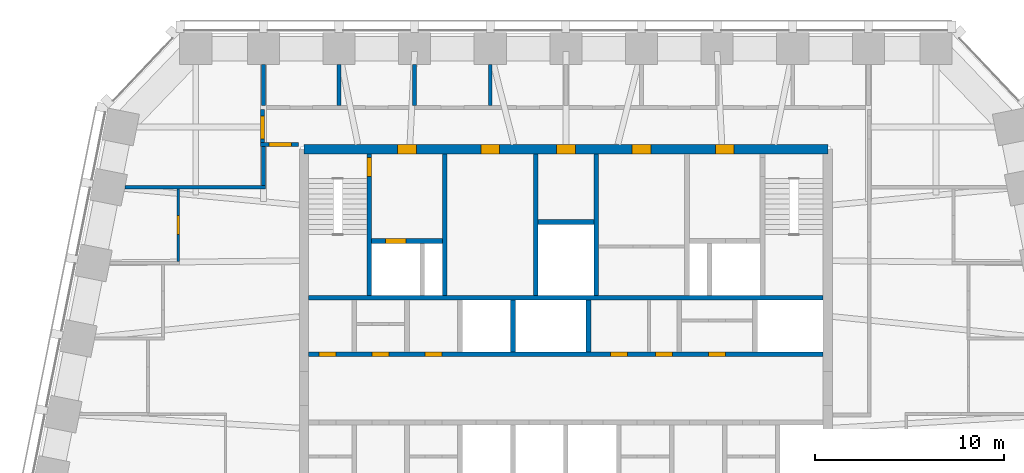
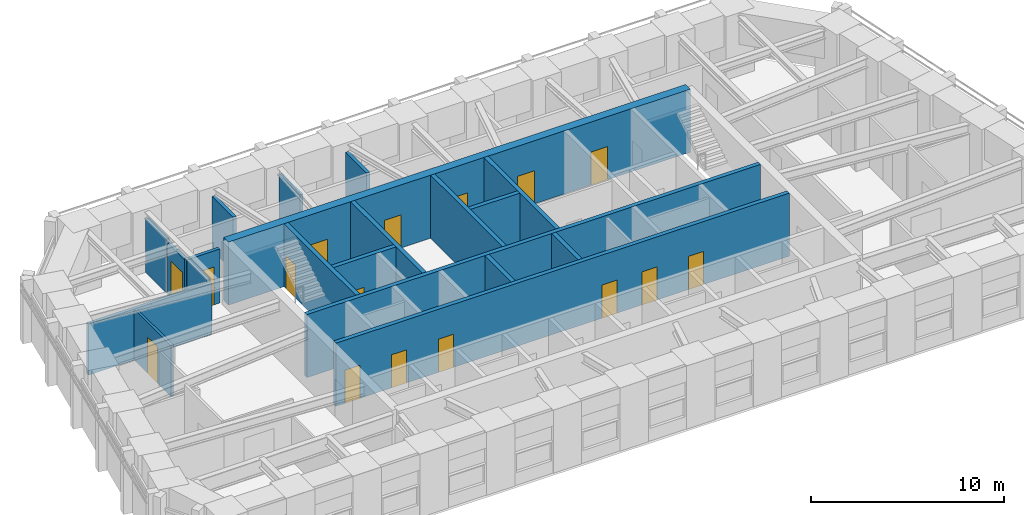
# One storey, part 5 of 9: 20 walls, 16 doors, 16 openings.
"""IFC4 building model written with IfcOpenShell, lengths in metres."""

from ifc_helpers import new_model, si_unit, direction, frame, frame_2d, origin, place, context, subcontext, project, spatial, rectangle, extrude, material, layer, layer_set, type_object, element, fill, save


model = new_model("IFC4")

# Units and contexts
model_context = context("Model", 3, precision=1e-05, world=origin(), true_north=direction((0.0, 1.0)))
body_context = subcontext(model_context, "Body", "Model", "MODEL_VIEW")
ifc_project = project(units=[si_unit("LENGTHUNIT", "METRE"), si_unit("AREAUNIT", "SQUARE_METRE"), si_unit("VOLUMEUNIT", "CUBIC_METRE"), si_unit("PLANEANGLEUNIT", "RADIAN"), si_unit("MASSUNIT", "GRAM", prefix="KILO")], contexts=[model_context])

# Site, building, storey
site_placement = place(None, origin())
site = spatial("IfcSite", under=ifc_project, at=site_placement, CompositionType="ELEMENT")
building_placement = place(site_placement, origin())
building = spatial("IfcBuilding", under=site, at=building_placement, Name="Isbrekke Arena Tower", CompositionType="ELEMENT")
storey_placement = place(building_placement, frame((0.0, 0.0, 312.0)))
storey = spatial("IfcBuildingStorey", under=building, at=storey_placement, Name="L73", CompositionType="ELEMENT", Elevation=312.0)

# Wall, openings, doors
ifc_material_1 = material(Name="Concrete B55 (C55/67)", Category="concrete")
ifc_layer_1 = layer(ifc_material_1, 0.5)
ifc_layer_set_1 = layer_set([ifc_layer_1], Name="CW5 CORE WALL 500")
wall_type_1 = type_object("IfcWallType", Name="CW5 CORE WALL 500", PredefinedType="SHEAR", material=ifc_layer_set_1)
wall_1_placement = place(storey_placement, frame((13.85009765625, 23.85009765625, 0.0), z_axis=(0.0, 0.0, 1.0), x_axis=(-1.0, 0.0, 0.0)))
wall_1 = element("IfcWall", 1, at=wall_1_placement, inside=storey, type_object=wall_type_1, Name="Core wall N L73", PredefinedType="SHEAR", context=body_context, shape_type="SweptSolid", body=[
    extrude(rectangle(XDim=27.7001953125, YDim=0.5, at=frame_2d((13.85009765625, 0.0))), origin(), (0.0, 0.0, 1.0), 4.0),
])
opening_1_placement = place(wall_1_placement, frame((21.75, 0.0, 0.0)))
opening_1 = element("IfcOpeningElement", 2, at=opening_1_placement, cuts=wall_1, Name="Opening D3", PredefinedType="OPENING", context=body_context, shape_type="SweptSolid", body=[
    extrude(rectangle(XDim=1.0, YDim=2.10009765625, at=frame_2d((0.5, 1.050048828125))), frame((0.0, 0.264892578125, 0.0), z_axis=(0.0, -1.0, 0.0), x_axis=(1.0, 0.0, 0.0)), (0.0, 0.0, 1.0), 0.52978515625),
])
opening_2_placement = place(wall_1_placement, frame((4.949951171875, 0.0, 0.0)))
opening_2 = element("IfcOpeningElement", 3, at=opening_2_placement, cuts=wall_1, Name="Opening D3", PredefinedType="OPENING", context=body_context, shape_type="SweptSolid", body=[
    extrude(rectangle(XDim=1.0, YDim=2.10009765625, at=frame_2d((0.5, 1.050048828125))), frame((0.0, 0.264892578125, 0.0), z_axis=(0.0, -1.0, 0.0), x_axis=(1.0, 0.0, 0.0)), (0.0, 0.0, 1.0), 0.52978515625),
])
opening_3_placement = place(wall_1_placement, frame((17.35009765625, 0.0, 0.0)))
opening_3 = element("IfcOpeningElement", 4, at=opening_3_placement, cuts=wall_1, Name="Opening D4", PredefinedType="OPENING", context=body_context, shape_type="SweptSolid", body=[
    extrude(rectangle(XDim=1.0, YDim=2.10009765625, at=frame_2d((0.5, 1.050048828125))), frame((0.0, 0.264892578125, 0.0), z_axis=(0.0, -1.0, 0.0), x_axis=(1.0, 0.0, 0.0)), (0.0, 0.0, 1.0), 0.52978515625),
])
opening_4_placement = place(wall_1_placement, frame((13.35009765625, 0.0, 0.0)))
opening_4 = element("IfcOpeningElement", 5, at=opening_4_placement, cuts=wall_1, Name="Opening D4", PredefinedType="OPENING", context=body_context, shape_type="SweptSolid", body=[
    extrude(rectangle(XDim=1.0, YDim=2.10009765625, at=frame_2d((0.5, 1.050048828125))), frame((0.0, 0.264892578125, 0.0), z_axis=(0.0, -1.0, 0.0), x_axis=(1.0, 0.0, 0.0)), (0.0, 0.0, 1.0), 0.52978515625),
])
opening_5_placement = place(wall_1_placement, frame((9.35009765625, 0.0, 0.0)))
opening_5 = element("IfcOpeningElement", 6, at=opening_5_placement, cuts=wall_1, Name="Opening D4", PredefinedType="OPENING", context=body_context, shape_type="SweptSolid", body=[
    extrude(rectangle(XDim=1.0, YDim=2.10009765625, at=frame_2d((0.5, 1.050048828125))), frame((0.0, 0.264892578125, 0.0), z_axis=(0.0, -1.0, 0.0), x_axis=(1.0, 0.0, 0.0)), (0.0, 0.0, 1.0), 0.52978515625),
])
ifc_material_2 = material(Name="Steel fire door", Category="steel")
door_type_1 = type_object("IfcDoorType", Name="D3 FIRE LOBBY DOOR 1000 x 2100", OperationType="SINGLE_SWING_RIGHT", PredefinedType="DOOR", material=ifc_material_2)
door_1_placement = place(opening_1_placement, origin())
door_1 = element("IfcDoor", 7, at=door_1_placement, inside=storey, type_object=door_type_1, Name="D3 fire-fighting lobby door L73", OperationType="SINGLE_SWING_RIGHT", OverallHeight=2.10009765625, OverallWidth=1.0, PredefinedType="DOOR", context=body_context, shape_type="SweptSolid", body=[
    extrude(rectangle(XDim=1.0, YDim=2.10009765625, at=frame_2d((0.5, 1.050048828125))), frame((0.0, 0.249755859375, 0.0), z_axis=(0.0, -1.0, 0.0), x_axis=(1.0, 0.0, 0.0)), (0.0, 0.0, 1.0), 0.49951171875),
])
fill(opening_1, door_1)
door_2_placement = place(opening_2_placement, origin())
door_2 = element("IfcDoor", 8, at=door_2_placement, inside=storey, type_object=door_type_1, Name="D3 fire-fighting lobby door L73", OperationType="SINGLE_SWING_RIGHT", OverallHeight=2.10009765625, OverallWidth=1.0, PredefinedType="DOOR", context=body_context, shape_type="SweptSolid", body=[
    extrude(rectangle(XDim=1.0, YDim=2.10009765625, at=frame_2d((0.5, 1.050048828125))), frame((0.0, 0.249755859375, 0.0), z_axis=(0.0, -1.0, 0.0), x_axis=(1.0, 0.0, 0.0)), (0.0, 0.0, 1.0), 0.49951171875),
])
fill(opening_2, door_2)
ifc_material_3 = material(Name="Timber door", Category="wood")
door_type_2 = type_object("IfcDoorType", Name="D4 WC DOOR 1000 x 2100", OperationType="SINGLE_SWING_LEFT", PredefinedType="DOOR", material=ifc_material_3)
door_3_placement = place(opening_3_placement, origin())
door_3 = element("IfcDoor", 9, at=door_3_placement, inside=storey, type_object=door_type_2, Name="D4 wc female door L73", OperationType="SINGLE_SWING_LEFT", OverallHeight=2.10009765625, OverallWidth=1.0, PredefinedType="DOOR", context=body_context, shape_type="SweptSolid", body=[
    extrude(rectangle(XDim=1.0, YDim=2.10009765625, at=frame_2d((0.5, 1.050048828125))), frame((0.0, 0.249755859375, 0.0), z_axis=(0.0, -1.0, 0.0), x_axis=(1.0, 0.0, 0.0)), (0.0, 0.0, 1.0), 0.49951171875),
])
fill(opening_3, door_3)
door_4_placement = place(opening_4_placement, origin())
door_4 = element("IfcDoor", 10, at=door_4_placement, inside=storey, type_object=door_type_2, Name="D4 accessible wc door L73", OperationType="SINGLE_SWING_LEFT", OverallHeight=2.10009765625, OverallWidth=1.0, PredefinedType="DOOR", context=body_context, shape_type="SweptSolid", body=[
    extrude(rectangle(XDim=1.0, YDim=2.10009765625, at=frame_2d((0.5, 1.050048828125))), frame((0.0, 0.249755859375, 0.0), z_axis=(0.0, -1.0, 0.0), x_axis=(1.0, 0.0, 0.0)), (0.0, 0.0, 1.0), 0.49951171875),
])
fill(opening_4, door_4)
door_5_placement = place(opening_5_placement, origin())
door_5 = element("IfcDoor", 11, at=door_5_placement, inside=storey, type_object=door_type_2, Name="D4 wc male door L73", OperationType="SINGLE_SWING_LEFT", OverallHeight=2.10009765625, OverallWidth=1.0, PredefinedType="DOOR", context=body_context, shape_type="SweptSolid", body=[
    extrude(rectangle(XDim=1.0, YDim=2.10009765625, at=frame_2d((0.5, 1.050048828125))), frame((0.0, 0.249755859375, 0.0), z_axis=(0.0, -1.0, 0.0), x_axis=(1.0, 0.0, 0.0)), (0.0, 0.0, 1.0), 0.49951171875),
])
fill(opening_5, door_5)

ifc_material_4 = material(Name="Concrete B45 (C45/55)", Category="concrete")
ifc_layer_2 = layer(ifc_material_4, 0.25)
ifc_layer_set_2 = layer_set([ifc_layer_2], Name="CW6 SHAFT WALL 250")
wall_type_2 = type_object("IfcWallType", Name="CW6 SHAFT WALL 250", PredefinedType="SHEAR", material=ifc_layer_set_2)
wall_2_placement = place(storey_placement, frame((-13.60009765625, 13.0, 0.0), z_axis=(0.0, 0.0, 1.0), x_axis=(1.0, 0.0, 0.0)))
wall_2 = element("IfcWall", 12, at=wall_2_placement, inside=storey, type_object=wall_type_2, Name="Core wall LN L73", PredefinedType="SHEAR", context=body_context, shape_type="SweptSolid", body=[
    extrude(rectangle(XDim=27.2001953125, YDim=0.25, at=frame_2d((13.60009765625, 0.0))), origin(), (0.0, 0.0, 1.0), 4.0),
])
opening_6_placement = place(wall_2_placement, frame((15.949951171875, 0.0, 0.0)))
opening_6 = element("IfcOpeningElement", 13, at=opening_6_placement, cuts=wall_2, Name="Opening D5", PredefinedType="OPENING", context=body_context, shape_type="SweptSolid", body=[
    extrude(rectangle(XDim=0.89990234375, YDim=2.10009765625, at=frame_2d((0.449951171875, 1.050048828125))), frame((0.0, 0.139892578125, 0.0), z_axis=(0.0, -1.0, 0.0), x_axis=(1.0, 0.0, 0.0)), (0.0, 0.0, 1.0), 0.27978515625),
])
opening_7_placement = place(wall_2_placement, frame((18.35009765625, 0.0, 0.0)))
opening_7 = element("IfcOpeningElement", 14, at=opening_7_placement, cuts=wall_2, Name="Opening D5", PredefinedType="OPENING", context=body_context, shape_type="SweptSolid", body=[
    extrude(rectangle(XDim=0.89990234375, YDim=2.10009765625, at=frame_2d((0.449951171875, 1.050048828125))), frame((0.0, 0.139892578125, 0.0), z_axis=(0.0, -1.0, 0.0), x_axis=(1.0, 0.0, 0.0)), (0.0, 0.0, 1.0), 0.27978515625),
])
opening_8_placement = place(wall_2_placement, frame((21.14990234375, 0.0, 0.0)))
opening_8 = element("IfcOpeningElement", 15, at=opening_8_placement, cuts=wall_2, Name="Opening D5", PredefinedType="OPENING", context=body_context, shape_type="SweptSolid", body=[
    extrude(rectangle(XDim=0.89990234375, YDim=2.10009765625, at=frame_2d((0.449951171875, 1.050048828125))), frame((0.0, 0.139892578125, 0.0), z_axis=(0.0, -1.0, 0.0), x_axis=(1.0, 0.0, 0.0)), (0.0, 0.0, 1.0), 0.27978515625),
])
opening_9_placement = place(wall_2_placement, frame((0.550048828125, 0.0, 0.0)))
opening_9 = element("IfcOpeningElement", 16, at=opening_9_placement, cuts=wall_2, Name="Opening D5", PredefinedType="OPENING", context=body_context, shape_type="SweptSolid", body=[
    extrude(rectangle(XDim=0.89990234375, YDim=2.10009765625, at=frame_2d((0.449951171875, 1.050048828125))), frame((0.0, 0.139892578125, 0.0), z_axis=(0.0, -1.0, 0.0), x_axis=(1.0, 0.0, 0.0)), (0.0, 0.0, 1.0), 0.27978515625),
])
opening_10_placement = place(wall_2_placement, frame((3.35009765625, 0.0, 0.0)))
opening_10 = element("IfcOpeningElement", 17, at=opening_10_placement, cuts=wall_2, Name="Opening D5", PredefinedType="OPENING", context=body_context, shape_type="SweptSolid", body=[
    extrude(rectangle(XDim=0.89990234375, YDim=2.10009765625, at=frame_2d((0.449951171875, 1.050048828125))), frame((0.0, 0.139892578125, 0.0), z_axis=(0.0, -1.0, 0.0), x_axis=(1.0, 0.0, 0.0)), (0.0, 0.0, 1.0), 0.27978515625),
])
opening_11_placement = place(wall_2_placement, frame((6.14990234375, 0.0, 0.0)))
opening_11 = element("IfcOpeningElement", 18, at=opening_11_placement, cuts=wall_2, Name="Opening D5", PredefinedType="OPENING", context=body_context, shape_type="SweptSolid", body=[
    extrude(rectangle(XDim=0.89990234375, YDim=2.10009765625, at=frame_2d((0.449951171875, 1.050048828125))), frame((0.0, 0.139892578125, 0.0), z_axis=(0.0, -1.0, 0.0), x_axis=(1.0, 0.0, 0.0)), (0.0, 0.0, 1.0), 0.27978515625),
])
ifc_material_5 = material(Name="Steel fire door", Category="steel")
door_type_3 = type_object("IfcDoorType", Name="D5 SERVICE DOOR 900 x 2100", OperationType="SINGLE_SWING_LEFT", PredefinedType="DOOR", material=ifc_material_5)
door_6_placement = place(opening_6_placement, origin())
door_6 = element("IfcDoor", 19, at=door_6_placement, inside=storey, type_object=door_type_3, Name="D5 first-aid room door L73", OperationType="SINGLE_SWING_LEFT", OverallHeight=2.10009765625, OverallWidth=0.89990234375, PredefinedType="DOOR", context=body_context, shape_type="SweptSolid", body=[
    extrude(rectangle(XDim=0.89990234375, YDim=2.10009765625, at=frame_2d((0.449951171875, 1.050048828125))), frame((0.0, 0.124755859375, 0.0), z_axis=(0.0, -1.0, 0.0), x_axis=(1.0, 0.0, 0.0)), (0.0, 0.0, 1.0), 0.24951171875),
])
fill(opening_6, door_6)
door_7_placement = place(opening_7_placement, origin())
door_7 = element("IfcDoor", 20, at=door_7_placement, inside=storey, type_object=door_type_3, Name="D5 cleaner's store door L73", OperationType="SINGLE_SWING_LEFT", OverallHeight=2.10009765625, OverallWidth=0.89990234375, PredefinedType="DOOR", context=body_context, shape_type="SweptSolid", body=[
    extrude(rectangle(XDim=0.89990234375, YDim=2.10009765625, at=frame_2d((0.449951171875, 1.050048828125))), frame((0.0, 0.124755859375, 0.0), z_axis=(0.0, -1.0, 0.0), x_axis=(1.0, 0.0, 0.0)), (0.0, 0.0, 1.0), 0.24951171875),
])
fill(opening_7, door_7)
door_8_placement = place(opening_8_placement, origin())
door_8 = element("IfcDoor", 21, at=door_8_placement, inside=storey, type_object=door_type_3, Name="D5 communications room door L73", OperationType="SINGLE_SWING_LEFT", OverallHeight=2.10009765625, OverallWidth=0.89990234375, PredefinedType="DOOR", context=body_context, shape_type="SweptSolid", body=[
    extrude(rectangle(XDim=0.89990234375, YDim=2.10009765625, at=frame_2d((0.449951171875, 1.050048828125))), frame((0.0, 0.124755859375, 0.0), z_axis=(0.0, -1.0, 0.0), x_axis=(1.0, 0.0, 0.0)), (0.0, 0.0, 1.0), 0.24951171875),
])
fill(opening_8, door_8)
door_9_placement = place(opening_9_placement, origin())
door_9 = element("IfcDoor", 22, at=door_9_placement, inside=storey, type_object=door_type_3, Name="D5 archive door L73", OperationType="SINGLE_SWING_LEFT", OverallHeight=2.10009765625, OverallWidth=0.89990234375, PredefinedType="DOOR", context=body_context, shape_type="SweptSolid", body=[
    extrude(rectangle(XDim=0.89990234375, YDim=2.10009765625, at=frame_2d((0.449951171875, 1.050048828125))), frame((0.0, 0.124755859375, 0.0), z_axis=(0.0, -1.0, 0.0), x_axis=(1.0, 0.0, 0.0)), (0.0, 0.0, 1.0), 0.24951171875),
])
fill(opening_9, door_9)
door_10_placement = place(opening_10_placement, origin())
door_10 = element("IfcDoor", 23, at=door_10_placement, inside=storey, type_object=door_type_3, Name="D5 print room door L73", OperationType="SINGLE_SWING_LEFT", OverallHeight=2.10009765625, OverallWidth=0.89990234375, PredefinedType="DOOR", context=body_context, shape_type="SweptSolid", body=[
    extrude(rectangle(XDim=0.89990234375, YDim=2.10009765625, at=frame_2d((0.449951171875, 1.050048828125))), frame((0.0, 0.124755859375, 0.0), z_axis=(0.0, -1.0, 0.0), x_axis=(1.0, 0.0, 0.0)), (0.0, 0.0, 1.0), 0.24951171875),
])
fill(opening_10, door_10)
door_11_placement = place(opening_11_placement, origin())
door_11 = element("IfcDoor", 24, at=door_11_placement, inside=storey, type_object=door_type_3, Name="D5 technical room door L73", OperationType="SINGLE_SWING_LEFT", OverallHeight=2.10009765625, OverallWidth=0.89990234375, PredefinedType="DOOR", context=body_context, shape_type="SweptSolid", body=[
    extrude(rectangle(XDim=0.89990234375, YDim=2.10009765625, at=frame_2d((0.449951171875, 1.050048828125))), frame((0.0, 0.124755859375, 0.0), z_axis=(0.0, -1.0, 0.0), x_axis=(1.0, 0.0, 0.0)), (0.0, 0.0, 1.0), 0.24951171875),
])
fill(opening_11, door_11)

# Walls
wall_3_placement = place(storey_placement, frame((-13.60009765625, 16.0, 0.0), z_axis=(0.0, 0.0, 1.0), x_axis=(1.0, 0.0, 0.0)))
element("IfcWall", 25, at=wall_3_placement, inside=storey, type_object=wall_type_2, Name="Core wall NB L73", PredefinedType="SHEAR", context=body_context, shape_type="SweptSolid", body=[
    extrude(rectangle(XDim=27.2001953125, YDim=0.25, at=frame_2d((13.60009765625, 0.0))), origin(), (0.0, 0.0, 1.0), 4.0),
])
for number, where, z_axis, x_axis, name in (
    (26, (-2.800048828125, 13.125, 0.0), (0.0, 0.0, 1.0), (0.0, 1.0, 0.0), "Core wall SN04 L73"),
    (27, (1.199951171875, 13.125, 0.0), (0.0, 0.0, 1.0), (0.0, 1.0, 0.0), "Core wall SN05 L73"),
):
    element("IfcWall", number, at=place(storey_placement, frame(where, z_axis=z_axis, x_axis=x_axis)), inside=storey, type_object=wall_type_2, Name=name, PredefinedType="SHEAR", context=body_context, shape_type="SweptSolid", body=[
        extrude(rectangle(XDim=2.75, YDim=0.25, at=frame_2d((1.375, 0.0))), origin(), (0.0, 0.0, 1.0), 4.0),
    ])

# Wall, opening, door
wall_4_placement = place(storey_placement, frame((-10.39990234375, 16.125, 0.0), z_axis=(0.0, 0.0, 1.0), x_axis=(0.0, 1.0, 0.0)))
wall_4 = element("IfcWall", 28, at=wall_4_placement, inside=storey, type_object=wall_type_2, Name="Core wall NV01 L73", PredefinedType="SHEAR", context=body_context, shape_type="SweptSolid", body=[
    extrude(rectangle(XDim=7.47509765625, YDim=0.25, at=frame_2d((3.737548828125, 0.0))), origin(), (0.0, 0.0, 1.0), 4.0),
])
opening_12_placement = place(wall_4_placement, frame((6.27490234375, 0.0, 0.0)))
opening_12 = element("IfcOpeningElement", 29, at=opening_12_placement, cuts=wall_4, Name="Opening D2", PredefinedType="OPENING", context=body_context, shape_type="SweptSolid", body=[
    extrude(rectangle(XDim=1.0, YDim=2.10009765625, at=frame_2d((0.5, 1.050048828125))), frame((0.0, 0.139892578125, 0.0), z_axis=(0.0, -1.0, 0.0), x_axis=(1.0, 0.0, 0.0)), (0.0, 0.0, 1.0), 0.27978515625),
])
ifc_material_6 = material(Name="Steel fire door", Category="steel")
door_type_4 = type_object("IfcDoorType", Name="D2 STAIR DOOR 1000 x 2100", OperationType="SINGLE_SWING_LEFT", PredefinedType="DOOR", material=ifc_material_6)
door_12_placement = place(opening_12_placement, origin())
door_12 = element("IfcDoor", 30, at=door_12_placement, inside=storey, type_object=door_type_4, Name="D2 stair door ST1 L73", OperationType="SINGLE_SWING_LEFT", OverallHeight=2.10009765625, OverallWidth=1.0, PredefinedType="DOOR", context=body_context, shape_type="SweptSolid", body=[
    extrude(rectangle(XDim=1.0, YDim=2.10009765625, at=frame_2d((0.5, 1.050048828125))), frame((0.0, 0.124755859375, 0.0), z_axis=(0.0, -1.0, 0.0), x_axis=(1.0, 0.0, 0.0)), (0.0, 0.0, 1.0), 0.24951171875),
])
fill(opening_12, door_12)

# Walls
for number, where, z_axis, x_axis, name in (
    (31, (-6.39990234375, 16.125, 0.0), (0.0, 0.0, 1.0), (0.0, 1.0, 0.0), "Core wall NV02 L73"),
    (32, (-1.60009765625, 16.125, 0.0), (0.0, 0.0, 1.0), (0.0, 1.0, 0.0), "Core wall NV03 L73"),
    (33, (1.60009765625, 16.125, 0.0), (0.0, 0.0, 1.0), (0.0, 1.0, 0.0), "Core wall NV04 L73"),
):
    element("IfcWall", number, at=place(storey_placement, frame(where, z_axis=z_axis, x_axis=x_axis)), inside=storey, type_object=wall_type_2, Name=name, PredefinedType="SHEAR", context=body_context, shape_type="SweptSolid", body=[
        extrude(rectangle(XDim=7.47509765625, YDim=0.25, at=frame_2d((3.737548828125, 0.0))), origin(), (0.0, 0.0, 1.0), 4.0),
    ])

# Wall, opening, door
wall_5_placement = place(storey_placement, frame((-10.27490234375, 19.0, 0.0), z_axis=(0.0, 0.0, 1.0), x_axis=(1.0, 0.0, 0.0)))
wall_5 = element("IfcWall", 34, at=wall_5_placement, inside=storey, type_object=wall_type_2, Name="Core wall NFW L73", PredefinedType="SHEAR", context=body_context, shape_type="SweptSolid", body=[
    extrude(rectangle(XDim=3.75, YDim=0.25, at=frame_2d((1.875, 0.0))), origin(), (0.0, 0.0, 1.0), 4.0),
])
opening_13_placement = place(wall_5_placement, frame((0.72509765625, 0.0, 0.0)))
opening_13 = element("IfcOpeningElement", 35, at=opening_13_placement, cuts=wall_5, Name="Opening LD2", PredefinedType="OPENING", context=body_context, shape_type="SweptSolid", body=[
    extrude(rectangle(XDim=1.10009765625, YDim=2.10009765625, at=frame_2d((0.550048828125, 1.050048828125))), frame((0.0, 0.139892578125, 0.0), z_axis=(0.0, -1.0, 0.0), x_axis=(1.0, 0.0, 0.0)), (0.0, 0.0, 1.0), 0.27978515625),
])
ifc_material_7 = material(Name="Stainless steel lift landing door", Category="steel")
door_type_5 = type_object("IfcDoorType", Name="LD2 FIRE-FIGHTING LIFT LANDING DOOR 1100 x 2100", OperationType="SLIDING_TO_RIGHT", PredefinedType="DOOR", material=ifc_material_7)
door_13_placement = place(opening_13_placement, origin())
door_13 = element("IfcDoor", 36, at=door_13_placement, inside=storey, type_object=door_type_5, Name="LD2 lift landing door LF L73", OperationType="SLIDING_TO_RIGHT", OverallHeight=2.10009765625, OverallWidth=1.10009765625, PredefinedType="DOOR", context=body_context, shape_type="SweptSolid", body=[
    extrude(rectangle(XDim=1.10009765625, YDim=2.10009765625, at=frame_2d((0.550048828125, 1.050048828125))), frame((0.0, 0.124755859375, 0.0), z_axis=(0.0, -1.0, 0.0), x_axis=(1.0, 0.0, 0.0)), (0.0, 0.0, 1.0), 0.24951171875),
])
fill(opening_13, door_13)

# Wall
wall_6_placement = place(storey_placement, frame((-1.47509765625, 20.0, 0.0), z_axis=(0.0, 0.0, 1.0), x_axis=(1.0, 0.0, 0.0)))
element("IfcWall", 37, at=wall_6_placement, inside=storey, type_object=wall_type_2, Name="Core wall NWC L73", PredefinedType="SHEAR", context=body_context, shape_type="SweptSolid", body=[
    extrude(rectangle(XDim=2.9501953125, YDim=0.25, at=frame_2d((1.47509765625, 0.0))), origin(), (0.0, 0.0, 1.0), 4.0),
])

# Wall, opening, door
ifc_material_8 = material(Name="Gypsum board partition on steel studs", Category="steel")
ifc_layer_3 = layer(ifc_material_8, 0.14990234375)
ifc_layer_set_3 = layer_set([ifc_layer_3], Name="IW1 PARTITION 150")
wall_type_3 = type_object("IfcWallType", Name="IW1 PARTITION 150", PredefinedType="PARTITIONING", material=ifc_layer_set_3)
wall_7_placement = place(storey_placement, frame((-20.5, 17.9150390625, 0.0), z_axis=(0.0, 0.0, 1.0), x_axis=(0.0, 1.0, 0.0)))
wall_7 = element("IfcWall", 38, at=wall_7_placement, inside=storey, type_object=wall_type_3, Name="IW1 partition 150 L73", PredefinedType="PARTITIONING", context=body_context, shape_type="SweptSolid", body=[
    extrude(rectangle(XDim=3.824951171875, YDim=0.14990234375, at=frame_2d((1.91259765625, 0.0))), origin(), (0.0, 0.0, 1.0), 3.22998046875),
])
opening_14_placement = place(wall_7_placement, frame((1.425048828125, 0.0, 0.0)))
opening_14 = element("IfcOpeningElement", 39, at=opening_14_placement, cuts=wall_7, Name="Opening D10", PredefinedType="OPENING", context=body_context, shape_type="SweptSolid", body=[
    extrude(rectangle(XDim=1.0, YDim=2.300048828125, at=frame_2d((0.5, 1.14990234375))), frame((0.0, 0.08984375, 0.0), z_axis=(0.0, -1.0, 0.0), x_axis=(1.0, 0.0, 0.0)), (0.0, 0.0, 1.0), 0.1796875),
])
ifc_material_9 = material(Name="Timber door", Category="wood")
door_type_6 = type_object("IfcDoorType", Name="D10 OFFICE DOOR 1000 x 2300", OperationType="SINGLE_SWING_LEFT", PredefinedType="DOOR", material=ifc_material_9)
door_14_placement = place(opening_14_placement, origin())
door_14 = element("IfcDoor", 40, at=door_14_placement, inside=storey, type_object=door_type_6, Name="D10 pantry door L73", OperationType="SINGLE_SWING_LEFT", OverallHeight=2.300048828125, OverallWidth=1.0, PredefinedType="DOOR", context=body_context, shape_type="SweptSolid", body=[
    extrude(rectangle(XDim=1.0, YDim=2.300048828125, at=frame_2d((0.5, 1.14990234375))), frame((0.0, 0.07470703125, 0.0), z_axis=(0.0, -1.0, 0.0), x_axis=(1.0, 0.0, 0.0)), (0.0, 0.0, 1.0), 0.1494140625),
])
fill(opening_14, door_14)

# Wall
ifc_material_10 = material(Name="Gypsum board fire-cell wall on steel studs, two layers each side", Category="steel")
ifc_layer_4 = layer(ifc_material_10, 0.199951171875)
ifc_layer_set_4 = layer_set([ifc_layer_4], Name="IW3 FIRE-CELL WALL 200")
wall_type_4 = type_object("IfcWallType", Name="IW3 FIRE-CELL WALL 200", PredefinedType="PARTITIONING", material=ifc_layer_set_4)
wall_8_placement = place(storey_placement, frame((-23.32373046875, 21.840087890625, 0.0), z_axis=(0.0, 0.0, 1.0), x_axis=(1.0, 0.0, 0.0)))
element("IfcWall", 41, at=wall_8_placement, inside=storey, type_object=wall_type_4, Name="IW3 fire-cell wall 200 L73", PredefinedType="PARTITIONING", context=body_context, shape_type="SweptSolid", body=[
    extrude(rectangle(XDim=7.423828125, YDim=0.199951171875, at=frame_2d((3.7119140625, 0.0))), origin(), (0.0, 0.0, 1.0), 3.22998046875),
])

# Wall, opening, door
wall_9_placement = place(storey_placement, frame((-16.14990234375, 24.10009765625, 0.0), z_axis=(0.0, 0.0, 1.0), x_axis=(1.0, 0.0, 0.0)))
wall_9 = element("IfcWall", 42, at=wall_9_placement, inside=storey, type_object=wall_type_4, Name="IW3 fire-cell wall 200 L73", PredefinedType="PARTITIONING", context=body_context, shape_type="SweptSolid", body=[
    extrude(rectangle(XDim=2.02001953125, YDim=0.199951171875, at=frame_2d((1.010009765625, 0.0))), origin(), (0.0, 0.0, 1.0), 3.41796875),
])
opening_15_placement = place(wall_9_placement, frame((0.449951171875, 0.0, 0.0)))
opening_15 = element("IfcOpeningElement", 43, at=opening_15_placement, cuts=wall_9, Name="Opening D12", PredefinedType="OPENING", context=body_context, shape_type="SweptSolid", body=[
    extrude(rectangle(XDim=1.199951171875, YDim=2.39990234375, at=frame_2d((0.60009765625, 1.199951171875))), frame((0.0, 0.11474609375, 0.0), z_axis=(0.0, -1.0, 0.0), x_axis=(1.0, 0.0, 0.0)), (0.0, 0.0, 1.0), 0.229736328125),
])
ifc_material_11 = material(Name="Timber fire door with vision panel", Category="wood")
door_type_7 = type_object("IfcDoorType", Name="D12 SUITE ENTRANCE DOOR 1200 x 2400", OperationType="SINGLE_SWING_LEFT", PredefinedType="DOOR", material=ifc_material_11)
door_15_placement = place(opening_15_placement, origin())
door_15 = element("IfcDoor", 44, at=door_15_placement, inside=storey, type_object=door_type_7, Name="D12 suite entrance W door L73", OperationType="SINGLE_SWING_LEFT", OverallHeight=2.39990234375, OverallWidth=1.199951171875, PredefinedType="DOOR", context=body_context, shape_type="SweptSolid", body=[
    extrude(rectangle(XDim=1.199951171875, YDim=2.39990234375, at=frame_2d((0.60009765625, 1.199951171875))), frame((0.0, 0.099609375, 0.0), z_axis=(0.0, -1.0, 0.0), x_axis=(1.0, 0.0, 0.0)), (0.0, 0.0, 1.0), 0.199462890625),
])
fill(opening_15, door_15)

wall_10_placement = place(storey_placement, frame((-16.050048828125, 24.199951171875, 0.0), z_axis=(0.0, 0.0, 1.0), x_axis=(0.0, 1.0, 0.0)))
wall_10 = element("IfcWall", 45, at=wall_10_placement, inside=storey, type_object=wall_type_4, Name="IW3 fire-cell wall 200 L73", PredefinedType="PARTITIONING", context=body_context, shape_type="SweptSolid", body=[
    extrude(rectangle(XDim=1.75, YDim=0.199951171875, at=frame_2d((0.875, 0.0))), origin(), (0.0, 0.0, 1.0), 3.325927734375),
])
opening_16_placement = place(wall_10_placement, frame((0.199951171875, 0.0, 0.0)))
opening_16 = element("IfcOpeningElement", 46, at=opening_16_placement, cuts=wall_10, Name="Opening D12", PredefinedType="OPENING", context=body_context, shape_type="SweptSolid", body=[
    extrude(rectangle(XDim=1.199951171875, YDim=2.39990234375, at=frame_2d((0.60009765625, 1.199951171875))), frame((0.0, 0.11474609375, 0.0), z_axis=(0.0, -1.0, 0.0), x_axis=(1.0, 0.0, 0.0)), (0.0, 0.0, 1.0), 0.229736328125),
])
door_16_placement = place(opening_16_placement, origin())
door_16 = element("IfcDoor", 47, at=door_16_placement, inside=storey, type_object=door_type_7, Name="D12 suite entrance NCW door L73", OperationType="SINGLE_SWING_LEFT", OverallHeight=2.39990234375, OverallWidth=1.199951171875, PredefinedType="DOOR", context=body_context, shape_type="SweptSolid", body=[
    extrude(rectangle(XDim=1.199951171875, YDim=2.39990234375, at=frame_2d((0.60009765625, 1.199951171875))), frame((0.0, 0.099609375, 0.0), z_axis=(0.0, -1.0, 0.0), x_axis=(1.0, 0.0, 0.0)), (0.0, 0.0, 1.0), 0.199462890625),
])
fill(opening_16, door_16)

# Walls
wall_11_placement = place(storey_placement, frame((-16.0, 21.93994140625, 0.0), z_axis=(0.0, 0.0, 1.0), x_axis=(0.0, 1.0, 0.0)))
element("IfcWall", 48, at=wall_11_placement, inside=storey, type_object=wall_type_4, Name="IW3 fire-cell wall 200 L73", PredefinedType="PARTITIONING", context=body_context, shape_type="SweptSolid", body=[
    extrude(rectangle(XDim=2.06005859375, YDim=0.199951171875, at=frame_2d((1.030029296875, 0.0))), origin(), (0.0, 0.0, 1.0), 3.41796875),
])
for number, where, z_axis, x_axis, name in (
    (49, (-16.0, 26.14990234375, 0.0), (0.0, 0.0, 1.0), (0.0, 1.0, 0.0), "IW3 fire-cell wall 200 L73"),
    (50, (-12.0, 26.14990234375, 0.0), (0.0, 0.0, 1.0), (0.0, 1.0, 0.0), "IW3 fire-cell wall 200 L73"),
    (51, (-8.0, 26.14990234375, 0.0), (0.0, 0.0, 1.0), (0.0, 1.0, 0.0), "IW3 fire-cell wall 200 L73"),
    (52, (-4.0, 26.14990234375, 0.0), (0.0, 0.0, 1.0), (0.0, 1.0, 0.0), "IW3 fire-cell wall 200 L73"),
):
    element("IfcWall", number, at=place(storey_placement, frame(where, z_axis=z_axis, x_axis=x_axis)), inside=storey, type_object=wall_type_4, Name=name, PredefinedType="PARTITIONING", context=body_context, shape_type="SweptSolid", body=[
        extrude(rectangle(XDim=2.175048828125, YDim=0.199951171875, at=frame_2d((1.08740234375, 0.0))), origin(), (0.0, 0.0, 1.0), 3.41796875),
    ])

save(model, "model.ifc")
